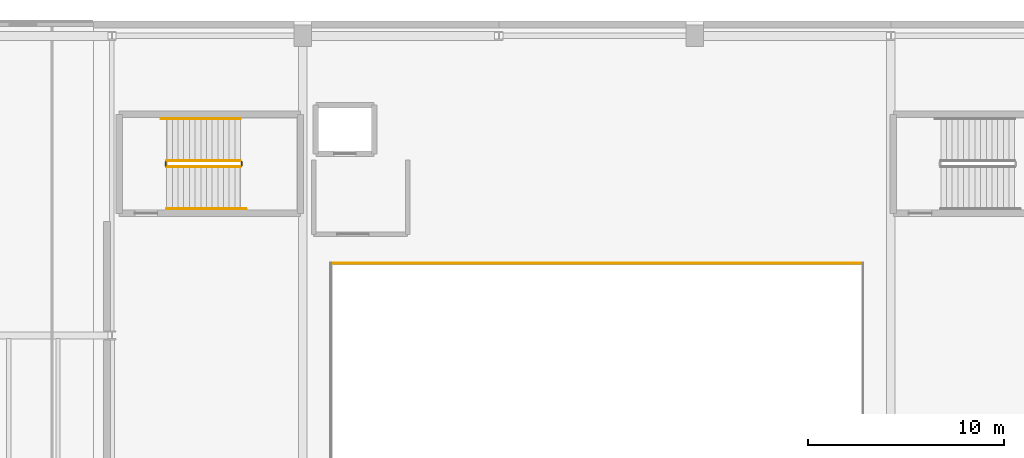
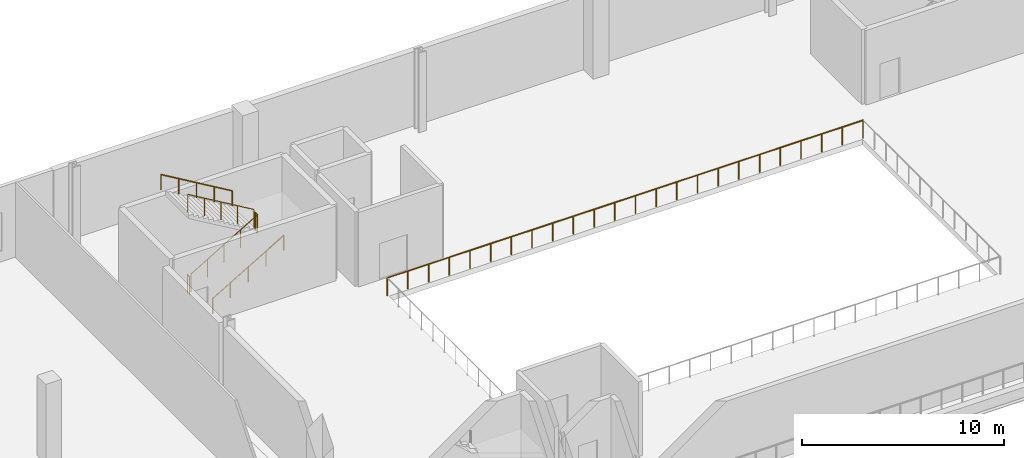
# One storey, part 39 of 41: 7 railings.
"""IFC4 building model written with IfcOpenShell, lengths in metres."""

from ifc_helpers import new_model, si_unit, direction, frame, origin, origin_2d, place, context, subcontext, project, spatial, circle, extrude, material, type_object, element, save


model = new_model("IFC4")

# Units and contexts
model_context = context("Model", 3, precision=1e-05, world=origin(), true_north=direction((0.0, 1.0)))
body_context = subcontext(model_context, "Body", "Model", "MODEL_VIEW")
ifc_project = project(units=[si_unit("LENGTHUNIT", "METRE"), si_unit("AREAUNIT", "SQUARE_METRE"), si_unit("VOLUMEUNIT", "CUBIC_METRE"), si_unit("PLANEANGLEUNIT", "RADIAN"), si_unit("MASSUNIT", "GRAM", prefix="KILO")], contexts=[model_context])

# Site, building, storey
site_placement = place(None, origin())
site = spatial("IfcSite", under=ifc_project, at=site_placement, CompositionType="ELEMENT")
building_placement = place(site_placement, origin())
building = spatial("IfcBuilding", under=site, at=building_placement, Name="Trimount Lyric Opera House", CompositionType="ELEMENT")
storey_placement = place(building_placement, frame((0.0, 0.0, 20.0)))
storey = spatial("IfcBuildingStorey", under=building, at=storey_placement, Name="L04", CompositionType="ELEMENT", Elevation=20.0)

# Railings
ifc_material_1 = material(Name="Brushed Stainless Steel 316", Category="steel")
railing_type_1 = type_object("IfcRailingType", Name="RL-GRD110", PredefinedType="GUARDRAIL", material=ifc_material_1)
railing_1_placement = place(storey_placement, frame((67.050048828125, 110.60009765625, 0.17138671875)))
element("IfcRailing", 1, at=railing_1_placement, inside=storey, type_object=railing_type_1, Name="L04 ST-01 stair guard 1", PredefinedType="GUARDRAIL", context=body_context, shape_type="SweptSolid", body=[
    extrude(circle(Radius=0.02392578125, at=origin_2d()), frame((0.0, 0.0, 1.076171875), z_axis=(0.860848830602, 0.0, 0.508860777473), x_axis=(0.0, 1.0, 0.0)), (0.0, 0.0, 1.0), 4.37939453125),
    extrude(circle(Radius=0.02099609375, at=origin_2d()), origin(), (0.0, 0.0, 1.0), 1.052001953125),
    extrude(circle(Radius=0.02099609375, at=origin_2d()), frame((0.9423828125, 0.0, 0.55712890625)), (0.0, 0.0, 1.0), 1.052001953125),
    extrude(circle(Radius=0.02099609375, at=origin_2d()), frame((1.885009765625, 0.0, 1.1142578125)), (0.0, 0.0, 1.0), 1.052001953125),
    extrude(circle(Radius=0.02099609375, at=origin_2d()), frame((2.82763671875, 0.0, 1.67138671875)), (0.0, 0.0, 1.0), 1.052001953125),
    extrude(circle(Radius=0.02099609375, at=origin_2d()), frame((3.77001953125, 0.0, 2.228515625)), (0.0, 0.0, 1.0), 1.052001953125),
])
railing_2_placement = place(storey_placement, frame((70.8701171875, 110.64990234375, 2.39990234375)))
element("IfcRailing", 2, at=railing_2_placement, inside=storey, type_object=railing_type_1, Name="L04 ST-01 stair guard 2", PredefinedType="GUARDRAIL", context=body_context, shape_type="SweptSolid", body=[
    extrude(circle(Radius=0.02392578125, at=origin_2d()), frame((0.0, 0.0, 1.076171875), z_axis=(0.0, 1.0, 0.0), x_axis=(-1.0, 0.0, 0.0)), (0.0, 0.0, 1.0), 0.2001953125),
    extrude(circle(Radius=0.02099609375, at=origin_2d()), origin(), (0.0, 0.0, 1.0), 1.052001953125),
    extrude(circle(Radius=0.02099609375, at=origin_2d()), frame((0.0, 0.2001953125, 0.0)), (0.0, 0.0, 1.0), 1.052001953125),
])
railing_3_placement = place(storey_placement, frame((70.820068359375, 110.89990234375, 2.571533203125)))
element("IfcRailing", 3, at=railing_3_placement, inside=storey, type_object=railing_type_1, Name="L04 ST-01 stair guard 3", PredefinedType="GUARDRAIL", context=body_context, shape_type="SweptSolid", body=[
    extrude(circle(Radius=0.02392578125, at=origin_2d()), frame((0.0, 0.0, 1.076171875), z_axis=(-0.860848830602, 0.0, 0.508860777473), x_axis=(0.0, -1.0, 0.0)), (0.0, 0.0, 1.0), 4.37939453125),
    extrude(circle(Radius=0.02099609375, at=origin_2d()), origin(), (0.0, 0.0, 1.0), 1.052001953125),
    extrude(circle(Radius=0.02099609375, at=origin_2d()), frame((-0.9423828125, 0.0, 0.55712890625)), (0.0, 0.0, 1.0), 1.052001953125),
    extrude(circle(Radius=0.02099609375, at=origin_2d()), frame((-1.885009765625, 0.0, 1.1142578125)), (0.0, 0.0, 1.0), 1.052001953125),
    extrude(circle(Radius=0.02099609375, at=origin_2d()), frame((-2.82763671875, 0.0, 1.67138671875)), (0.0, 0.0, 1.0), 1.052001953125),
    extrude(circle(Radius=0.02099609375, at=origin_2d()), frame((-3.77001953125, 0.0, 2.228515625)), (0.0, 0.0, 1.0), 1.052001953125),
])
railing_4_placement = place(storey_placement, frame((67.0, 110.64990234375, 0.0)))
element("IfcRailing", 4, at=railing_4_placement, inside=storey, type_object=railing_type_1, Name="L04 ST-01 stair guard 4", PredefinedType="GUARDRAIL", context=body_context, shape_type="SweptSolid", body=[
    extrude(circle(Radius=0.02392578125, at=origin_2d()), frame((0.0, 0.0, 1.076171875), z_axis=(0.0, 1.0, 0.0), x_axis=(-1.0, 0.0, 0.0)), (0.0, 0.0, 1.0), 0.2001953125),
    extrude(circle(Radius=0.02099609375, at=origin_2d()), origin(), (0.0, 0.0, 1.0), 1.052001953125),
    extrude(circle(Radius=0.02099609375, at=origin_2d()), frame((0.0, 0.2001953125, 0.0)), (0.0, 0.0, 1.0), 1.052001953125),
])
railing_5_placement = place(storey_placement, frame((102.580078125, 105.679931640625, 0.0)))
element("IfcRailing", 5, at=railing_5_placement, inside=storey, type_object=railing_type_1, Name="L04 atrium and balcony guard GRD-FLY-L04-N", PredefinedType="GUARDRAIL", context=body_context, shape_type="SweptSolid", body=[
    extrude(circle(Radius=0.02392578125, at=origin_2d()), frame((0.0, 0.0, 1.076171875), z_axis=(-1.0, 0.0, 0.0), x_axis=(0.0, -1.0, 0.0)), (0.0, 0.0, 1.0), 27.16015625),
    extrude(circle(Radius=0.02099609375, at=origin_2d()), origin(), (0.0, 0.0, 1.0), 1.052001953125),
    extrude(circle(Radius=0.02099609375, at=origin_2d()), frame((-1.180908203125, 0.0, 0.0)), (0.0, 0.0, 1.0), 1.052001953125),
    extrude(circle(Radius=0.02099609375, at=origin_2d()), frame((-2.36181640625, 0.0, 0.0)), (0.0, 0.0, 1.0), 1.052001953125),
    extrude(circle(Radius=0.02099609375, at=origin_2d()), frame((-3.542724609375, 0.0, 0.0)), (0.0, 0.0, 1.0), 1.052001953125),
    extrude(circle(Radius=0.02099609375, at=origin_2d()), frame((-4.723388671875, 0.0, 0.0)), (0.0, 0.0, 1.0), 1.052001953125),
    extrude(circle(Radius=0.02099609375, at=origin_2d()), frame((-5.904296875, 0.0, 0.0)), (0.0, 0.0, 1.0), 1.052001953125),
    extrude(circle(Radius=0.02099609375, at=origin_2d()), frame((-7.085205078125, 0.0, 0.0)), (0.0, 0.0, 1.0), 1.052001953125),
    extrude(circle(Radius=0.02099609375, at=origin_2d()), frame((-8.26611328125, 0.0, 0.0)), (0.0, 0.0, 1.0), 1.052001953125),
    extrude(circle(Radius=0.02099609375, at=origin_2d()), frame((-9.447021484375, 0.0, 0.0)), (0.0, 0.0, 1.0), 1.052001953125),
    extrude(circle(Radius=0.02099609375, at=origin_2d()), frame((-10.6279296875, 0.0, 0.0)), (0.0, 0.0, 1.0), 1.052001953125),
    extrude(circle(Radius=0.02099609375, at=origin_2d()), frame((-11.808837890625, 0.0, 0.0)), (0.0, 0.0, 1.0), 1.052001953125),
    extrude(circle(Radius=0.02099609375, at=origin_2d()), frame((-12.98974609375, 0.0, 0.0)), (0.0, 0.0, 1.0), 1.052001953125),
    extrude(circle(Radius=0.02099609375, at=origin_2d()), frame((-14.17041015625, 0.0, 0.0)), (0.0, 0.0, 1.0), 1.052001953125),
    extrude(circle(Radius=0.02099609375, at=origin_2d()), frame((-15.351318359375, 0.0, 0.0)), (0.0, 0.0, 1.0), 1.052001953125),
    extrude(circle(Radius=0.02099609375, at=origin_2d()), frame((-16.5322265625, 0.0, 0.0)), (0.0, 0.0, 1.0), 1.052001953125),
    extrude(circle(Radius=0.02099609375, at=origin_2d()), frame((-17.713134765625, 0.0, 0.0)), (0.0, 0.0, 1.0), 1.052001953125),
    extrude(circle(Radius=0.02099609375, at=origin_2d()), frame((-18.89404296875, 0.0, 0.0)), (0.0, 0.0, 1.0), 1.052001953125),
    extrude(circle(Radius=0.02099609375, at=origin_2d()), frame((-20.074951171875, 0.0, 0.0)), (0.0, 0.0, 1.0), 1.052001953125),
    extrude(circle(Radius=0.02099609375, at=origin_2d()), frame((-21.255859375, 0.0, 0.0)), (0.0, 0.0, 1.0), 1.052001953125),
    extrude(circle(Radius=0.02099609375, at=origin_2d()), frame((-22.436767578125, 0.0, 0.0)), (0.0, 0.0, 1.0), 1.052001953125),
    extrude(circle(Radius=0.02099609375, at=origin_2d()), frame((-23.617431640625, 0.0, 0.0)), (0.0, 0.0, 1.0), 1.052001953125),
    extrude(circle(Radius=0.02099609375, at=origin_2d()), frame((-24.79833984375, 0.0, 0.0)), (0.0, 0.0, 1.0), 1.052001953125),
    extrude(circle(Radius=0.02099609375, at=origin_2d()), frame((-25.979248046875, 0.0, 0.0)), (0.0, 0.0, 1.0), 1.052001953125),
    extrude(circle(Radius=0.02099609375, at=origin_2d()), frame((-27.16015625, 0.0, 0.0)), (0.0, 0.0, 1.0), 1.052001953125),
])
ifc_material_2 = material(Name="Brushed Stainless Steel 316", Category="steel")
railing_type_2 = type_object("IfcRailingType", Name="RL-HND092", PredefinedType="HANDRAIL", material=ifc_material_2)
railing_6_placement = place(storey_placement, frame((67.050048828125, 108.449951171875, 0.17138671875)))
element("IfcRailing", 6, at=railing_6_placement, inside=storey, type_object=railing_type_2, Name="L04 ST-01 stair handrail 1", PredefinedType="HANDRAIL", context=body_context, shape_type="SweptSolid", body=[
    extrude(circle(Radius=0.0224609375, at=origin_2d()), frame((0.0, 0.0, 0.8974609375), z_axis=(0.86055955557, 0.0, 0.509349831959), x_axis=(0.0, 1.0, 0.0)), (0.0, 0.0, 1.0), 4.718017578125),
    extrude(circle(Radius=0.02099609375, at=origin_2d()), origin(), (0.0, 0.0, 1.0), 0.875),
    extrude(circle(Radius=0.02099609375, at=origin_2d()), frame((1.01513671875, 0.0, 0.600830078125)), (0.0, 0.0, 1.0), 0.875),
    extrude(circle(Radius=0.02099609375, at=origin_2d()), frame((2.030029296875, 0.0, 1.20166015625)), (0.0, 0.0, 1.0), 0.875),
    extrude(circle(Radius=0.02099609375, at=origin_2d()), frame((3.044921875, 0.0, 1.80224609375)), (0.0, 0.0, 1.0), 0.875),
    extrude(circle(Radius=0.02099609375, at=origin_2d()), frame((4.06005859375, 0.0, 2.403076171875)), (0.0, 0.0, 1.0), 0.875),
])
railing_7_placement = place(storey_placement, frame((70.820068359375, 113.050048828125, 2.571533203125)))
element("IfcRailing", 7, at=railing_7_placement, inside=storey, type_object=railing_type_2, Name="L04 ST-01 stair handrail 2", PredefinedType="HANDRAIL", context=body_context, shape_type="SweptSolid", body=[
    extrude(circle(Radius=0.0224609375, at=origin_2d()), frame((0.0, 0.0, 0.8974609375), z_axis=(-0.86055955557, 0.0, 0.509349831959), x_axis=(0.0, -1.0, 0.0)), (0.0, 0.0, 1.0), 4.718017578125),
    extrude(circle(Radius=0.02099609375, at=origin_2d()), origin(), (0.0, 0.0, 1.0), 0.875),
    extrude(circle(Radius=0.02099609375, at=origin_2d()), frame((-1.01513671875, 0.0, 0.600830078125)), (0.0, 0.0, 1.0), 0.875),
    extrude(circle(Radius=0.02099609375, at=origin_2d()), frame((-2.030029296875, 0.0, 1.20166015625)), (0.0, 0.0, 1.0), 0.875),
    extrude(circle(Radius=0.02099609375, at=origin_2d()), frame((-3.044921875, 0.0, 1.80224609375)), (0.0, 0.0, 1.0), 0.875),
    extrude(circle(Radius=0.02099609375, at=origin_2d()), frame((-4.06005859375, 0.0, 2.403076171875)), (0.0, 0.0, 1.0), 0.875),
])

save(model, "model.ifc")
